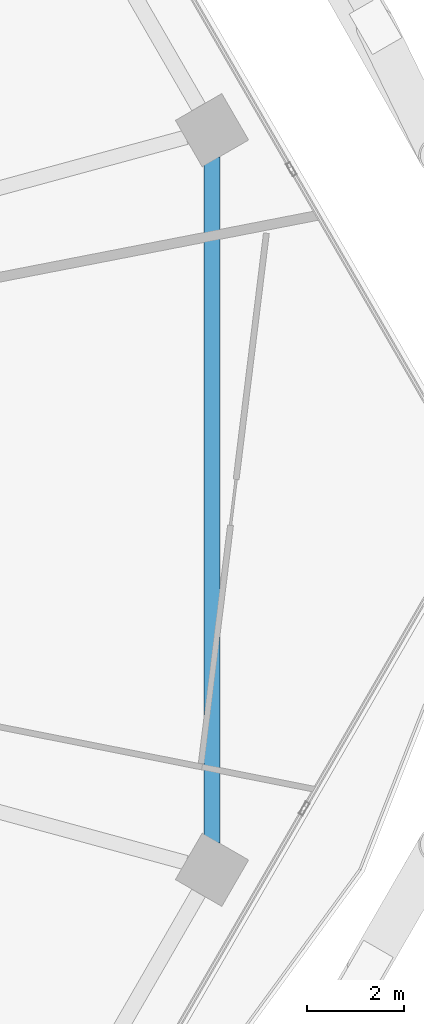
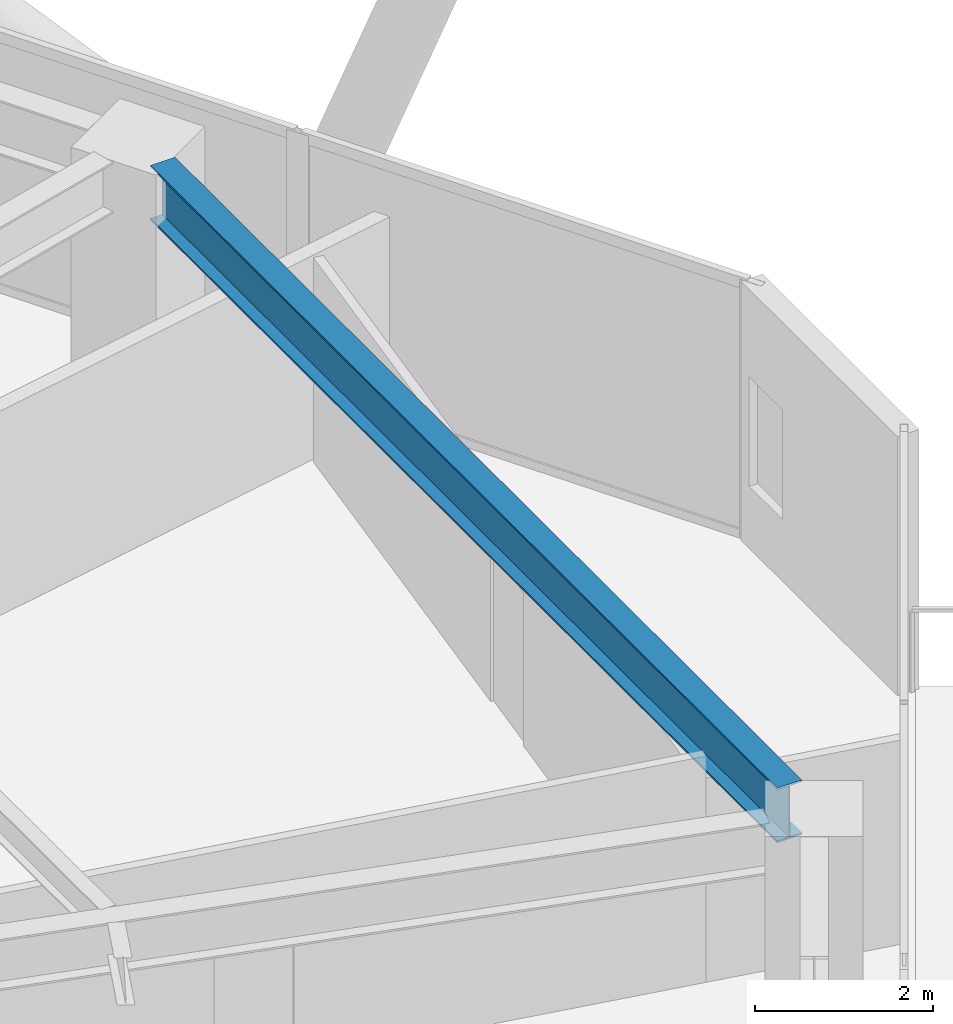
# One storey, part 13 of 34: 1 beam.
"""IFC4 building model written with IfcOpenShell, lengths in metres."""

from ifc_helpers import new_model, si_unit, direction, frame, origin, origin_2d, place, context, subcontext, project, spatial, i_section, extrude, material, material_profile, profile_set, type_object, element, save


model = new_model("IFC4")

# Units and contexts
model_context = context("Model", 3, precision=1e-05, world=origin(), true_north=direction((0.0, 1.0)))
body_context = subcontext(model_context, "Body", "Model", "MODEL_VIEW")
ifc_project = project(units=[si_unit("LENGTHUNIT", "METRE"), si_unit("AREAUNIT", "SQUARE_METRE"), si_unit("VOLUMEUNIT", "CUBIC_METRE"), si_unit("PLANEANGLEUNIT", "RADIAN"), si_unit("MASSUNIT", "GRAM", prefix="KILO")], contexts=[model_context])

# Site, building, storey
site_placement = place(None, origin())
site = spatial("IfcSite", under=ifc_project, at=site_placement, CompositionType="ELEMENT")
building_placement = place(site_placement, origin())
building = spatial("IfcBuilding", under=site, at=building_placement, Name="Zuhravey Tower", CompositionType="ELEMENT")
storey_placement = place(building_placement, frame((0.0, 0.0, 130.39990234375)))
storey = spatial("IfcBuildingStorey", under=building, at=storey_placement, Name="L32", CompositionType="ELEMENT", Elevation=130.39990234375)

# Beam
ifc_material = material(Name="Steel SM355", Category="steel")
ifc_material_profile = material_profile(ifc_material, i_section(OverallWidth=0.320068359375, OverallDepth=0.75, WebThickness=0.013916015625, FlangeThickness=0.02490234375, at=origin_2d()), Name="H-750x320x14x25")
ifc_profile_set = profile_set([ifc_material_profile], Name="Steel SM355")
beam_type = type_object("IfcBeamType", Name="Perimeter Ring Beam H750x320", PredefinedType="BEAM", material=ifc_profile_set)
beam_placement = place(storey_placement, frame((63.88916015625, 24.96142578125, 3.175048828125), z_axis=(0.0, 1.0, 0.0), x_axis=(-1.0, 0.0, 0.0)))
element("IfcBeam", 1, at=beam_placement, inside=storey, type_object=beam_type, Name="L32 PB1 BM-L32-PB-12", PredefinedType="BEAM", context=body_context, shape_type="SweptSolid", body=[
    extrude(i_section(OverallWidth=0.320068359375, OverallDepth=0.75, WebThickness=0.013916015625, FlangeThickness=0.02490234375, at=origin_2d()), origin(), (0.0, 0.0, 1.0), 14.0771484375),
])

save(model, "model.ifc")
